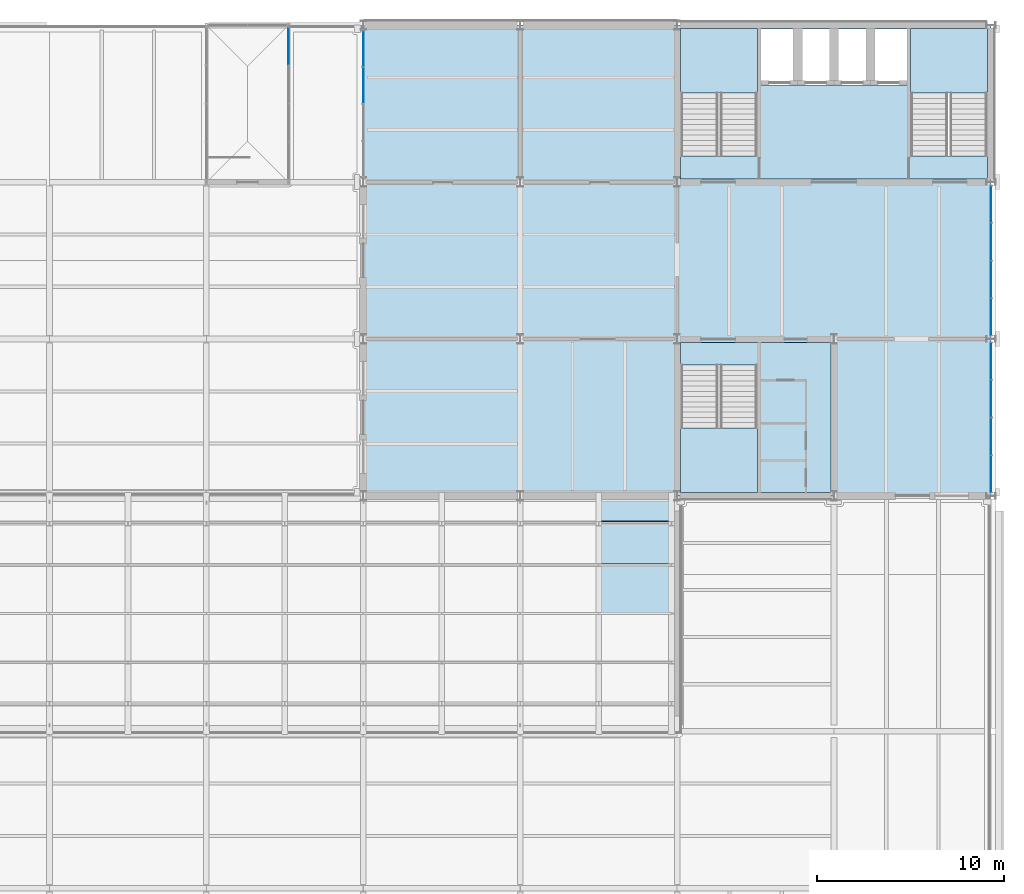
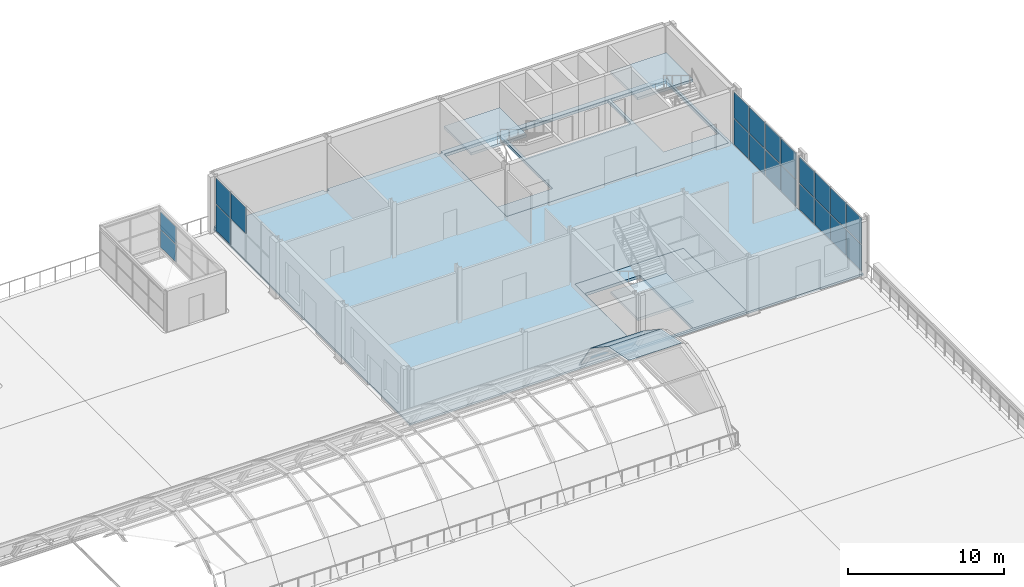
# One storey, part 38 of 58: 24 plates, 6 slabs, 7 elements without a shape of their own.
"""IFC4 building model written with IfcOpenShell, lengths in metres."""

import ifcopenshell
import ifcopenshell.guid

model = None  # the IFC model being written
_history = None  # IfcOwnerHistory: only IFC2X3 demands one
_inside = {}  # id of a spatial element -> (the spatial element, [elements in it])
_under = {}  # id of a project, library or spatial element -> (it, [spatial elements below it])
_declared = {}  # id of a project -> (the project, [libraries it declares])
_typed = {}  # id of a type object -> (the type object, [elements of that type])
_made_of = {}  # id of a material, layer set ... -> (it, [elements and type objects made of it])


def new_model(schema):
    """Start an empty IFC model of exactly this schema.

    Asked for "IFC4X3", IfcOpenShell would pick the latest addendum, in which some entities
    have other attributes; the version numbers below select the first issue.
    IFC2X3 requires an IfcOwnerHistory on every rooted entity: one is made here for all.
    """
    global model, _history
    if schema == "IFC4X3":
        model = ifcopenshell.file(schema_version=(4, 3, 0, 0))
    else:
        model = ifcopenshell.file(schema=schema)
    _inside.clear()
    _under.clear()
    _declared.clear()
    _typed.clear()
    _made_of.clear()
    _history = None
    if model.schema == "IFC2X3":
        org = make("IfcOrganization", Name="unknown")
        user = make(
            "IfcPersonAndOrganization",
            ThePerson=make("IfcPerson", FamilyName="unknown"),
            TheOrganization=org,
        )
        app = make(
            "IfcApplication",
            ApplicationDeveloper=org,
            Version="unknown",
            ApplicationFullName="unknown",
            ApplicationIdentifier="unknown",
        )
        _history = make(
            "IfcOwnerHistory",
            OwningUser=user,
            OwningApplication=app,
            ChangeAction="ADDED",
            CreationDate=0,
        )
    return model


def make(cls, **values):
    """One entity of the class cls with the attributes given. An attribute that is None is left unset."""
    return model.create_entity(
        cls, **{name: value for name, value in values.items() if value is not None}
    )


def rooted(cls, **values):
    """An entity with a GlobalId (a new one), such as an element, a storey or a relation."""
    return make(cls, GlobalId=ifcopenshell.guid.new(), OwnerHistory=_history, **values)


def si_unit(unit_type, name, prefix=None):
    """IfcSIUnit, for example si_unit("LENGTHUNIT", "METRE", prefix="MILLI")."""
    return make("IfcSIUnit", UnitType=unit_type, Prefix=prefix, Name=name)


def assignment(units):
    """IfcUnitAssignment: the units of a project."""
    return None if units is None else make("IfcUnitAssignment", Units=units)


def point(xyz):
    """IfcCartesianPoint."""
    return None if xyz is None else make("IfcCartesianPoint", Coordinates=xyz)


def direction(xyz):
    """IfcDirection."""
    return None if xyz is None else make("IfcDirection", DirectionRatios=xyz)


def frame(location, z_axis=None, x_axis=None):
    """IfcAxis2Placement3D, a coordinate frame: its origin and axes. An axis left out is left unset."""
    return make(
        "IfcAxis2Placement3D",
        Location=point(location),
        Axis=direction(z_axis),
        RefDirection=direction(x_axis),
    )


def frame_2d(location, x_axis=None):
    """IfcAxis2Placement2D, a coordinate frame in the plane: its origin and x axis."""
    return make(
        "IfcAxis2Placement2D", Location=point(location), RefDirection=direction(x_axis)
    )


def origin():
    """The frame at (0, 0, 0) with its axes left unset."""
    return frame((0.0, 0.0, 0.0))


def origin_2d():
    """The frame at (0, 0) in the plane with its x axis left unset."""
    return frame_2d((0.0, 0.0))


def place(relative_to, where):
    """IfcLocalPlacement: puts the frame where relative to a parent placement (None: the world)."""
    return make(
        "IfcLocalPlacement", PlacementRelTo=relative_to, RelativePlacement=where
    )


def context(
    kind, dimensions, precision=None, world=None, true_north=None, identifier=None
):
    """IfcGeometricRepresentationContext, for example the 3D "Model" context."""
    return make(
        "IfcGeometricRepresentationContext",
        ContextIdentifier=identifier,
        ContextType=kind,
        CoordinateSpaceDimension=dimensions,
        Precision=precision,
        WorldCoordinateSystem=world,
        TrueNorth=true_north,
    )


def subcontext(parent, identifier, kind, view, scale=None):
    """IfcGeometricRepresentationSubContext, for example "Body" below "Model"."""
    return make(
        "IfcGeometricRepresentationSubContext",
        ContextIdentifier=identifier,
        ContextType=kind,
        ParentContext=parent,
        TargetScale=scale,
        TargetView=view,
    )


def project(units=None, contexts=None):
    """IfcProject with its units and contexts."""
    return rooted(
        "IfcProject",
        Name="project",
        RepresentationContexts=contexts,
        UnitsInContext=assignment(units),
    )


def spatial(cls, under=None, at=None, **own):
    """A site, building, storey or space (cls), placed at a placement, below another one or the project."""
    s = rooted(cls, ObjectPlacement=at, **own)
    if under is not None:
        _under.setdefault(under.id(), (under, []))[1].append(s)
    return s


def polyline(points):
    """IfcPolyline through the points."""
    return make("IfcPolyline", Points=[point(p) for p in points])


def profile(cls, at=None, kind="AREA", **sizes):
    """A parametric profile (cls). Its sizes go by their IFC names, for example OverallWidth=200.0."""
    return make(cls, ProfileType=kind, Position=at, **sizes)


def rectangle(**sizes):
    """IfcRectangleProfileDef."""
    return profile("IfcRectangleProfileDef", **sizes)


def outline(outer, holes=None, kind="AREA"):
    """IfcArbitraryClosedProfileDef: a profile drawn as a closed curve; with holes, ...WithVoids."""
    if holes is None:
        return make("IfcArbitraryClosedProfileDef", ProfileType=kind, OuterCurve=outer)
    return make(
        "IfcArbitraryProfileDefWithVoids",
        ProfileType=kind,
        OuterCurve=outer,
        InnerCurves=holes,
    )


def extrude(swept, where, along, depth):
    """IfcExtrudedAreaSolid: the profile swept, set in the frame where, extruded along a direction by depth."""
    return make(
        "IfcExtrudedAreaSolid",
        SweptArea=swept,
        Position=where,
        ExtrudedDirection=direction(along),
        Depth=depth,
    )


def shape(context_of_items, identifier, shape_type, items):
    """IfcShapeRepresentation: the items that make up one representation, for example the "Body"."""
    return make(
        "IfcShapeRepresentation",
        ContextOfItems=context_of_items,
        RepresentationIdentifier=identifier,
        RepresentationType=shape_type,
        Items=items,
    )


def material(Name=None, Category=None):
    """IfcMaterial."""
    return make("IfcMaterial", Name=Name, Category=Category)


def layer(
    of_material, thickness, ventilated=None, Name=None, Category=None, Priority=None
):
    """IfcMaterialLayer: one layer of a wall or slab, of a material (None: an air gap)."""
    return make(
        "IfcMaterialLayer",
        Material=of_material,
        LayerThickness=thickness,
        IsVentilated=ventilated,
        Name=Name,
        Category=Category,
        Priority=Priority,
    )


def layer_set(layers, Name=None):
    """IfcMaterialLayerSet."""
    return make("IfcMaterialLayerSet", MaterialLayers=layers, LayerSetName=Name)


def made_of(thing, what):
    """Note that an element or type object is made of a material, layer set ...; save() writes the relation."""
    if what is not None:
        _made_of.setdefault(what.id(), (what, []))[1].append(thing)
    return thing


def type_object(cls, material=None, **own):
    """A type object (cls), such as IfcWallType, which elements share."""
    return made_of(rooted(cls, **own), material)


def element(
    cls,
    number,
    at=None,
    inside=None,
    cuts=None,
    type_object=None,
    material=None,
    context=None,
    identifier="Body",
    shape_type=None,
    held_by="IfcProductDefinitionShape",
    body=None,
    shapes=None,
    **own,
):
    """One element of the class cls, such as IfcWall. Its Tag is "e" and its number.

    at: its placement. inside: the storey or other place that contains it. cuts: it is an
    opening in that element (IfcRelVoidsElement). A single representation is given by context,
    identifier, shape_type and body (its items); several are given by shapes. held_by: the class
    of the entity that holds the representations. save() writes the other relations.
    """
    e = rooted(cls, Tag="e%d" % number, ObjectPlacement=at, **own)
    if body is not None:
        shapes = [shape(context, identifier, shape_type, body)]
    if shapes is not None:
        e.Representation = make(held_by, Representations=shapes)
    if inside is not None:
        _inside.setdefault(inside.id(), (inside, []))[1].append(e)
    if cuts is not None:
        rooted(
            "IfcRelVoidsElement", RelatingBuildingElement=cuts, RelatedOpeningElement=e
        )
    if type_object is not None:
        _typed.setdefault(type_object.id(), (type_object, []))[1].append(e)
    return made_of(e, material)


def aggregate(whole, parts):
    """IfcRelAggregates: a whole, such as a stair, and the parts it consists of."""
    return rooted("IfcRelAggregates", RelatingObject=whole, RelatedObjects=parts)


def save(model, path):
    """Write the relations noted so far, then the file.

    IfcRelAggregates (storeys below a building ...), IfcRelContainedInSpatialStructure (elements
    in a storey), IfcRelDefinesByType, IfcRelAssociatesMaterial and IfcRelDeclares: one each for
    every whole, place, type object, material and project.
    """
    for whole, parts in _under.values():
        aggregate(whole, parts)
    for where, things in _inside.values():
        rooted(
            "IfcRelContainedInSpatialStructure",
            RelatedElements=things,
            RelatingStructure=where,
        )
    for kind, things in _typed.values():
        rooted("IfcRelDefinesByType", RelatedObjects=things, RelatingType=kind)
    for what, things in _made_of.values():
        rooted("IfcRelAssociatesMaterial", RelatedObjects=things, RelatingMaterial=what)
    for by, libraries in _declared.values():
        rooted("IfcRelDeclares", RelatingContext=by, RelatedDefinitions=libraries)
    model.write(path)


model = new_model("IFC4")

# Units and contexts
model_context = context("Model", 3, precision=1e-05, world=origin(), true_north=direction((0.0, 1.0)))
body_context = subcontext(model_context, "Body", "Model", "MODEL_VIEW")
ifc_project = project(units=[si_unit("LENGTHUNIT", "METRE"), si_unit("AREAUNIT", "SQUARE_METRE"), si_unit("VOLUMEUNIT", "CUBIC_METRE"), si_unit("PLANEANGLEUNIT", "RADIAN"), si_unit("MASSUNIT", "GRAM", prefix="KILO")], contexts=[model_context])

# Site, building, storey
site_placement = place(None, origin())
site = spatial("IfcSite", under=ifc_project, at=site_placement, CompositionType="ELEMENT")
building_placement = place(site_placement, origin())
building = spatial("IfcBuilding", under=site, at=building_placement, Name="Galleria Vessillo Department Store", CompositionType="ELEMENT")
storey_placement = place(building_placement, frame((0.0, 0.0, 31.199951171875)))
storey = spatial("IfcBuildingStorey", under=building, at=storey_placement, Name="L06", CompositionType="ELEMENT", Elevation=31.199951171875)

# Slab
ifc_material_1 = material(Name="Concrete C32/40 composite on steel deck", Category="concrete")
ifc_layer_1 = layer(ifc_material_1, 0.14990234375)
ifc_layer_set_1 = layer_set([ifc_layer_1], Name="Concrete C32/40 composite on steel deck")
slab_type_1 = type_object("IfcSlabType", Name="Composite floor slab 150 mm", PredefinedType="FLOOR", material=ifc_layer_set_1)
slab_1_placement = place(storey_placement, frame((0.0, 0.0, -0.14990234375)))
element("IfcSlab", 1, at=slab_1_placement, inside=storey, type_object=slab_type_1, Name="S-SLAB-L06-FLOOR-T1", PredefinedType="FLOOR", context=body_context, shape_type="SweptSolid", body=[
    extrude(outline(polyline([(84.154052734375, 63.0), (84.154052734375, 63.22509765625), (92.245849609375, 63.22509765625), (92.245849609375, 63.0), (92.553955078125, 63.0), (92.553955078125, 63.22509765625), (100.64599609375, 63.22509765625), (100.64599609375, 63.0), (100.9541015625, 63.0), (100.9541015625, 63.199462890625), (117.360595703125, 63.199462890625), (117.360595703125, 63.0), (117.60009765625, 63.0), (117.60009765625, 37.800048828125), (84.0, 37.800048828125), (84.0, 63.0), (84.154052734375, 63.0)]), holes=[polyline([(109.02490234375, 37.97509765625), (109.02490234375, 46.02490234375), (100.97509765625, 46.02490234375), (100.97509765625, 37.97509765625), (109.02490234375, 37.97509765625)]), polyline([(117.425048828125, 54.775146484375), (117.425048828125, 62.824951171875), (100.97509765625, 62.824951171875), (100.97509765625, 54.775146484375), (117.425048828125, 54.775146484375)])]), origin(), (0.0, 0.0, 1.0), 0.14990234375),
])

# Curtain wall, plates
ifc_material_2 = material(Name="Aluminium and glass curtain wall", Category="aluminium")
ifc_layer_2 = layer(ifc_material_2, 0.159912109375)
ifc_layer_set_2 = layer_set([ifc_layer_2], Name="Aluminium and glass curtain wall")
curtain_wall_type_1 = type_object("IfcCurtainWallType", Name="Tower curtain wall CW4 2100 module", PredefinedType="NOTDEFINED", material=ifc_layer_set_2)
curtain_wall_1_placement = place(storey_placement, origin())
curtain_wall_1 = element("IfcCurtainWall", 2, at=curtain_wall_1_placement, inside=storey, type_object=curtain_wall_type_1, Name="Tower curtain wall CW4 2100 module TW-L06-03", PredefinedType="NOTDEFINED")
ifc_material_3 = material(Name="Glass laminated 44.2 low-e", Category="glass")
ifc_layer_3 = layer(ifc_material_3, 0.028076171875)
ifc_layer_set_3 = layer_set([ifc_layer_3], Name="Glass laminated 44.2 low-e")
plate_type_1 = type_object("IfcPlateType", Name="Laminated glass panel 28 mm", PredefinedType="CURTAIN_PANEL", material=ifc_layer_set_3)
plate_1_placement = place(storey_placement, frame((84.0, 59.78759765625, 2.155029296875), z_axis=(0.0, 0.0, 1.0), x_axis=(0.0, 1.0, 0.0)))
plate_1 = element("IfcPlate", 3, at=plate_1_placement, type_object=plate_type_1, Name="CW4 panel 3.2", PredefinedType="CURTAIN_PANEL", context=body_context, shape_type="SweptSolid", body=[
    extrude(rectangle(XDim=1.9150390625, YDim=0.028076171875, at=origin_2d()), origin(), (0.0, 0.0, 1.0), 2.03515625),
])
plate_2_placement = place(storey_placement, frame((84.0, 61.74755859375, 2.155029296875), z_axis=(0.0, 0.0, 1.0), x_axis=(0.0, 1.0, 0.0)))
plate_2 = element("IfcPlate", 4, at=plate_2_placement, type_object=plate_type_1, Name="CW4 panel 4.2", PredefinedType="CURTAIN_PANEL", context=body_context, shape_type="SweptSolid", body=[
    extrude(rectangle(XDim=1.885009765625, YDim=0.028076171875, at=origin_2d()), origin(), (0.0, 0.0, 1.0), 2.03515625),
])

curtain_wall_2_placement = place(storey_placement, origin())
curtain_wall_2 = element("IfcCurtainWall", 5, at=curtain_wall_2_placement, inside=storey, type_object=curtain_wall_type_1, Name="Tower curtain wall CW4 2100 module TE-L06-01", PredefinedType="NOTDEFINED")
plate_3_placement = place(storey_placement, frame((117.60009765625, 38.9775390625, 2.155029296875), z_axis=(0.0, 0.0, 1.0), x_axis=(0.0, 1.0, 0.0)))
plate_3 = element("IfcPlate", 6, at=plate_3_placement, type_object=plate_type_1, Name="CW4 panel 1.2", PredefinedType="CURTAIN_PANEL", context=body_context, shape_type="SweptSolid", body=[
    extrude(rectangle(XDim=1.93505859375, YDim=0.028076171875, at=origin_2d()), origin(), (0.0, 0.0, 1.0), 2.03515625),
])
plate_4_placement = place(storey_placement, frame((117.60009765625, 40.987548828125, 2.155029296875), z_axis=(0.0, 0.0, 1.0), x_axis=(0.0, 1.0, 0.0)))
plate_4 = element("IfcPlate", 7, at=plate_4_placement, type_object=plate_type_1, Name="CW4 panel 2.2", PredefinedType="CURTAIN_PANEL", context=body_context, shape_type="SweptSolid", body=[
    extrude(rectangle(XDim=1.965087890625, YDim=0.028076171875, at=origin_2d()), origin(), (0.0, 0.0, 1.0), 2.03515625),
])
plate_5_placement = place(storey_placement, frame((117.60009765625, 43.012451171875, 2.155029296875), z_axis=(0.0, 0.0, 1.0), x_axis=(0.0, 1.0, 0.0)))
plate_5 = element("IfcPlate", 8, at=plate_5_placement, type_object=plate_type_1, Name="CW4 panel 3.2", PredefinedType="CURTAIN_PANEL", context=body_context, shape_type="SweptSolid", body=[
    extrude(rectangle(XDim=1.965087890625, YDim=0.028076171875, at=origin_2d()), origin(), (0.0, 0.0, 1.0), 2.03515625),
])
plate_6_placement = place(storey_placement, frame((117.60009765625, 45.0224609375, 2.155029296875), z_axis=(0.0, 0.0, 1.0), x_axis=(0.0, 1.0, 0.0)))
plate_6 = element("IfcPlate", 9, at=plate_6_placement, type_object=plate_type_1, Name="CW4 panel 4.2", PredefinedType="CURTAIN_PANEL", context=body_context, shape_type="SweptSolid", body=[
    extrude(rectangle(XDim=1.93505859375, YDim=0.028076171875, at=origin_2d()), origin(), (0.0, 0.0, 1.0), 2.03515625),
])

curtain_wall_3_placement = place(storey_placement, origin())
curtain_wall_3 = element("IfcCurtainWall", 10, at=curtain_wall_3_placement, inside=storey, type_object=curtain_wall_type_1, Name="Tower curtain wall CW4 2100 module TE-L06-02", PredefinedType="NOTDEFINED")
plate_7_placement = place(storey_placement, frame((117.60009765625, 47.37744140625, 2.155029296875), z_axis=(0.0, 0.0, 1.0), x_axis=(0.0, 1.0, 0.0)))
plate_7 = element("IfcPlate", 11, at=plate_7_placement, type_object=plate_type_1, Name="CW4 panel 1.2", PredefinedType="CURTAIN_PANEL", context=body_context, shape_type="SweptSolid", body=[
    extrude(rectangle(XDim=1.93505859375, YDim=0.028076171875, at=origin_2d()), origin(), (0.0, 0.0, 1.0), 2.03515625),
])
plate_8_placement = place(storey_placement, frame((117.60009765625, 49.387451171875, 2.155029296875), z_axis=(0.0, 0.0, 1.0), x_axis=(0.0, 1.0, 0.0)))
plate_8 = element("IfcPlate", 12, at=plate_8_placement, type_object=plate_type_1, Name="CW4 panel 2.2", PredefinedType="CURTAIN_PANEL", context=body_context, shape_type="SweptSolid", body=[
    extrude(rectangle(XDim=1.965087890625, YDim=0.028076171875, at=origin_2d()), origin(), (0.0, 0.0, 1.0), 2.03515625),
])
plate_9_placement = place(storey_placement, frame((117.60009765625, 51.41259765625, 2.155029296875), z_axis=(0.0, 0.0, 1.0), x_axis=(0.0, 1.0, 0.0)))
plate_9 = element("IfcPlate", 13, at=plate_9_placement, type_object=plate_type_1, Name="CW4 panel 3.2", PredefinedType="CURTAIN_PANEL", context=body_context, shape_type="SweptSolid", body=[
    extrude(rectangle(XDim=1.965087890625, YDim=0.028076171875, at=origin_2d()), origin(), (0.0, 0.0, 1.0), 2.03515625),
])
plate_10_placement = place(storey_placement, frame((117.60009765625, 53.422607421875, 2.155029296875), z_axis=(0.0, 0.0, 1.0), x_axis=(0.0, 1.0, 0.0)))
plate_10 = element("IfcPlate", 14, at=plate_10_placement, type_object=plate_type_1, Name="CW4 panel 4.2", PredefinedType="CURTAIN_PANEL", context=body_context, shape_type="SweptSolid", body=[
    extrude(rectangle(XDim=1.93505859375, YDim=0.028076171875, at=origin_2d()), origin(), (0.0, 0.0, 1.0), 2.03515625),
])

ifc_material_4 = material(Name="Aluminium and glass curtain wall", Category="aluminium")
ifc_layer_4 = layer(ifc_material_4, 0.10009765625)
ifc_layer_set_4 = layer_set([ifc_layer_4], Name="Aluminium and glass curtain wall")
curtain_wall_type_2 = type_object("IfcCurtainWallType", Name="Pavilion curtain wall CW5 2100 module", PredefinedType="NOTDEFINED", material=ifc_layer_set_4)
curtain_wall_4_placement = place(storey_placement, origin())
curtain_wall_4 = element("IfcCurtainWall", 15, at=curtain_wall_4_placement, inside=storey, type_object=curtain_wall_type_2, Name="Pavilion curtain wall CW5 2100 module PV-ST6-B", PredefinedType="NOTDEFINED")
plate_11_placement = place(storey_placement, frame((80.0, 61.862548828125, 0.0498046875), z_axis=(0.0, 0.0, 1.0), x_axis=(0.0, 1.0, 0.0)))
plate_11 = element("IfcPlate", 16, at=plate_11_placement, type_object=plate_type_1, Name="CW5 panel 4.1", PredefinedType="CURTAIN_PANEL", context=body_context, shape_type="SweptSolid", body=[
    extrude(rectangle(XDim=1.97509765625, YDim=0.028076171875, at=origin_2d()), origin(), (0.0, 0.0, 1.0), 1.360107421875),
])
plate_12_placement = place(storey_placement, frame((80.0, 61.862548828125, 1.4599609375), z_axis=(0.0, 0.0, 1.0), x_axis=(0.0, 1.0, 0.0)))
plate_12 = element("IfcPlate", 17, at=plate_12_placement, type_object=plate_type_1, Name="CW5 panel 4.2", PredefinedType="CURTAIN_PANEL", context=body_context, shape_type="SweptSolid", body=[
    extrude(rectangle(XDim=1.97509765625, YDim=0.028076171875, at=origin_2d()), origin(), (0.0, 0.0, 1.0), 1.360107421875),
])
aggregate(curtain_wall_4, [plate_11, plate_12])

# Plates
ifc_material_5 = material(Name="Glass laminated 44.2 low-e", Category="glass")
ifc_layer_5 = layer(ifc_material_5, 0.030029296875)
ifc_layer_set_5 = layer_set([ifc_layer_5], Name="Glass laminated 44.2 low-e")
plate_type_2 = type_object("IfcPlateType", Name="Laminated vault glazing panel 30 mm", PredefinedType="SHEET", material=ifc_layer_set_5)
plate_13_placement = place(storey_placement, frame((96.60009765625, 31.5029296875, 4.377685546875), z_axis=(0.0, 0.194649660912, 0.980872830446), x_axis=(1.0, 0.0, 0.0)))
element("IfcPlate", 18, at=plate_13_placement, inside=storey, type_object=plate_type_2, Name="Vault glazing panel 20.4", PredefinedType="SHEET", context=body_context, shape_type="SweptSolid", body=[
    extrude(outline(polyline([(0.0, 0.0), (3.89990234375, 0.0), (3.89990234375, 2.7217368567149305), (0.0, 2.7217368567149305), (0.0, 0.0)])), origin(), (0.0, 0.0, -1.0), 0.030029296875),
])
plate_14_placement = place(storey_placement, frame((96.60009765625, 34.177978515625, 3.845703125), z_axis=(0.0, 0.554720893307, 0.832036495911), x_axis=(1.0, 0.0, 0.0)))
element("IfcPlate", 19, at=plate_14_placement, inside=storey, type_object=plate_type_2, Name="Vault glazing panel 20.5", PredefinedType="SHEET", context=body_context, shape_type="SweptSolid", body=[
    extrude(outline(polyline([(0.0, 0.0), (3.89990234375, 0.0), (3.89990234375, 2.722107250408877), (0.0, 2.722107250408877), (0.0, 0.0)])), origin(), (0.0, 0.0, -1.0), 0.030029296875),
])
plate_15_placement = place(storey_placement, frame((96.60009765625, 36.447021484375, 2.33154296875), z_axis=(0.0, 0.830525222922, 0.556981017711), x_axis=(1.0, 0.0, 0.0)))
element("IfcPlate", 20, at=plate_15_placement, inside=storey, type_object=plate_type_2, Name="Vault glazing panel 20.6", PredefinedType="SHEET", context=body_context, shape_type="SweptSolid", body=[
    extrude(outline(polyline([(0.0, 0.0), (3.89990234375, 0.0), (3.89990234375, 2.690021684729376), (0.0, 2.690021684729376), (0.0, 0.0)])), origin(), (0.0, 0.0, -1.0), 0.030029296875),
])

# Slabs
ifc_material_6 = material(Name="Concrete C32/40 reinforced", Category="concrete")
ifc_layer_6 = layer(ifc_material_6, 0.219970703125)
ifc_layer_set_6 = layer_set([ifc_layer_6], Name="Concrete C32/40 reinforced")
slab_type_2 = type_object("IfcSlabType", Name="Reinforced concrete core floor slab 220 mm", PredefinedType="FLOOR", material=ifc_layer_set_6)
slab_2_placement = place(storey_placement, frame((0.0, 0.0, -0.219970703125)))
element("IfcSlab", 21, at=slab_2_placement, inside=storey, type_object=slab_type_2, Name="S-SLAB-L06-CORE-TC", PredefinedType="FLOOR", context=body_context, shape_type="SweptSolid", body=[
    extrude(outline(polyline([(100.97509765625, 54.775146484375), (100.97509765625, 62.824951171875), (117.425048828125, 62.824951171875), (117.425048828125, 54.775146484375), (100.97509765625, 54.775146484375)]), holes=[polyline([(105.10009765625, 56.0), (105.10009765625, 62.800048828125), (101.0, 62.800048828125), (101.0, 56.0), (105.10009765625, 56.0)]), polyline([(113.300048828125, 56.0), (117.39990234375, 56.0), (117.39990234375, 62.800048828125), (113.300048828125, 62.800048828125), (113.300048828125, 56.0)]), polyline([(105.300048828125, 59.800048828125), (113.10009765625, 59.800048828125), (113.10009765625, 62.800048828125), (105.300048828125, 62.800048828125), (105.300048828125, 59.800048828125)])]), origin(), (0.0, 0.0, 1.0), 0.219970703125),
])
slab_3_placement = place(storey_placement, frame((0.0, 0.0, -0.219970703125)))
element("IfcSlab", 22, at=slab_3_placement, inside=storey, type_object=slab_type_2, Name="S-SLAB-L06-CORE-TS", PredefinedType="FLOOR", context=body_context, shape_type="SweptSolid", body=[
    extrude(outline(polyline([(100.97509765625, 37.97509765625), (100.97509765625, 46.02490234375), (109.02490234375, 46.02490234375), (109.02490234375, 37.97509765625), (100.97509765625, 37.97509765625)]), holes=[polyline([(105.10009765625, 44.800048828125), (101.0, 44.800048828125), (101.0, 38.0), (105.10009765625, 38.0), (105.10009765625, 44.800048828125)])]), origin(), (0.0, 0.0, 1.0), 0.219970703125),
])

# Stair, slab
ifc_material_7 = material(Name="Concrete C32/40", Category="concrete")
stair_type = type_object("IfcStairType", Name="Half-turn escape stair 2000 mm, 26 risers of 169 mm", PredefinedType="HALF_TURN_STAIR", material=ifc_material_7)
stair_1_placement = place(storey_placement, origin())
stair_1 = element("IfcStair", 23, at=stair_1_placement, inside=storey, type_object=stair_type, Name="Stair ST8 L06", PredefinedType="HALF_TURN_STAIR")
ifc_material_8 = material(Name="Concrete C32/40", Category="concrete")
ifc_layer_7 = layer(ifc_material_8, 0.199951171875)
ifc_layer_set_7 = layer_set([ifc_layer_7], Name="Concrete C32/40")
slab_type_3 = type_object("IfcSlabType", Name="Stair half landing 4125 x 3465 mm", PredefinedType="LANDING", material=ifc_layer_set_7)
slab_4_placement = place(storey_placement, frame((0.0, 0.0, 2.0)))
slab_4 = element("IfcSlab", 24, at=slab_4_placement, type_object=slab_type_3, Name="ST8 landing 1", PredefinedType="LANDING", context=body_context, shape_type="SweptSolid", body=[
    extrude(outline(polyline([(100.97509765625, 59.360107421875), (100.97509765625, 62.824951171875), (105.10009765625, 62.824951171875), (105.10009765625, 59.360107421875), (100.97509765625, 59.360107421875)])), origin(), (0.0, 0.0, 1.0), 0.199951171875),
])
aggregate(stair_1, [slab_4])

stair_2_placement = place(storey_placement, origin())
stair_2 = element("IfcStair", 25, at=stair_2_placement, inside=storey, type_object=stair_type, Name="Stair ST9 L06", PredefinedType="HALF_TURN_STAIR")
slab_5_placement = place(storey_placement, frame((0.0, 0.0, 2.0)))
slab_5 = element("IfcSlab", 26, at=slab_5_placement, type_object=slab_type_3, Name="ST9 landing 1", PredefinedType="LANDING", context=body_context, shape_type="SweptSolid", body=[
    extrude(outline(polyline([(113.300048828125, 59.360107421875), (113.300048828125, 62.824951171875), (117.425048828125, 62.824951171875), (117.425048828125, 59.360107421875), (113.300048828125, 59.360107421875)])), origin(), (0.0, 0.0, 1.0), 0.199951171875),
])
aggregate(stair_2, [slab_5])

stair_3_placement = place(storey_placement, origin())
stair_3 = element("IfcStair", 27, at=stair_3_placement, inside=storey, type_object=stair_type, Name="Stair ST12 L06", PredefinedType="HALF_TURN_STAIR")
slab_6_placement = place(storey_placement, frame((0.0, 0.0, 2.0)))
slab_6 = element("IfcSlab", 28, at=slab_6_placement, type_object=slab_type_3, Name="ST12 landing 1", PredefinedType="LANDING", context=body_context, shape_type="SweptSolid", body=[
    extrude(outline(polyline([(100.97509765625, 37.97509765625), (100.97509765625, 41.43994140625), (105.10009765625, 41.43994140625), (105.10009765625, 37.97509765625), (100.97509765625, 37.97509765625)])), origin(), (0.0, 0.0, 1.0), 0.199951171875),
])
aggregate(stair_3, [slab_6])

# Plate
ifc_material_9 = material(Name="Limestone spandrel on aluminium tray", Category="masonry")
ifc_layer_8 = layer(ifc_material_9, 0.028076171875)
ifc_layer_set_8 = layer_set([ifc_layer_8], Name="Limestone spandrel on aluminium tray")
plate_type_3 = type_object("IfcPlateType", Name="Stone spandrel panel 28 mm", PredefinedType="CURTAIN_PANEL", material=ifc_layer_set_8)
plate_16_placement = place(storey_placement, frame((84.0, 61.74755859375, 0.06005859375), z_axis=(0.0, 0.0, 1.0), x_axis=(0.0, 1.0, 0.0)))
plate_16 = element("IfcPlate", 29, at=plate_16_placement, type_object=plate_type_3, Name="CW4 panel 4.1", PredefinedType="CURTAIN_PANEL", context=body_context, shape_type="SweptSolid", body=[
    extrude(rectangle(XDim=1.885009765625, YDim=0.028076171875, at=origin_2d()), origin(), (0.0, 0.0, 1.0), 2.03515625),
])

aggregate(curtain_wall_1, [plate_1, plate_16, plate_2])

plate_17_placement = place(storey_placement, frame((117.60009765625, 38.9775390625, 0.06005859375), z_axis=(0.0, 0.0, 1.0), x_axis=(0.0, 1.0, 0.0)))
plate_17 = element("IfcPlate", 30, at=plate_17_placement, type_object=plate_type_3, Name="CW4 panel 1.1", PredefinedType="CURTAIN_PANEL", context=body_context, shape_type="SweptSolid", body=[
    extrude(rectangle(XDim=1.93505859375, YDim=0.028076171875, at=origin_2d()), origin(), (0.0, 0.0, 1.0), 2.03515625),
])

plate_18_placement = place(storey_placement, frame((117.60009765625, 40.987548828125, 0.06005859375), z_axis=(0.0, 0.0, 1.0), x_axis=(0.0, 1.0, 0.0)))
plate_18 = element("IfcPlate", 31, at=plate_18_placement, type_object=plate_type_3, Name="CW4 panel 2.1", PredefinedType="CURTAIN_PANEL", context=body_context, shape_type="SweptSolid", body=[
    extrude(rectangle(XDim=1.965087890625, YDim=0.028076171875, at=origin_2d()), origin(), (0.0, 0.0, 1.0), 2.03515625),
])

plate_19_placement = place(storey_placement, frame((117.60009765625, 43.012451171875, 0.06005859375), z_axis=(0.0, 0.0, 1.0), x_axis=(0.0, 1.0, 0.0)))
plate_19 = element("IfcPlate", 32, at=plate_19_placement, type_object=plate_type_3, Name="CW4 panel 3.1", PredefinedType="CURTAIN_PANEL", context=body_context, shape_type="SweptSolid", body=[
    extrude(rectangle(XDim=1.965087890625, YDim=0.028076171875, at=origin_2d()), origin(), (0.0, 0.0, 1.0), 2.03515625),
])

plate_20_placement = place(storey_placement, frame((117.60009765625, 45.0224609375, 0.06005859375), z_axis=(0.0, 0.0, 1.0), x_axis=(0.0, 1.0, 0.0)))
plate_20 = element("IfcPlate", 33, at=plate_20_placement, type_object=plate_type_3, Name="CW4 panel 4.1", PredefinedType="CURTAIN_PANEL", context=body_context, shape_type="SweptSolid", body=[
    extrude(rectangle(XDim=1.93505859375, YDim=0.028076171875, at=origin_2d()), origin(), (0.0, 0.0, 1.0), 2.03515625),
])

aggregate(curtain_wall_2, [plate_17, plate_3, plate_18, plate_4, plate_19, plate_5, plate_20, plate_6])

plate_21_placement = place(storey_placement, frame((117.60009765625, 47.37744140625, 0.06005859375), z_axis=(0.0, 0.0, 1.0), x_axis=(0.0, 1.0, 0.0)))
plate_21 = element("IfcPlate", 34, at=plate_21_placement, type_object=plate_type_3, Name="CW4 panel 1.1", PredefinedType="CURTAIN_PANEL", context=body_context, shape_type="SweptSolid", body=[
    extrude(rectangle(XDim=1.93505859375, YDim=0.028076171875, at=origin_2d()), origin(), (0.0, 0.0, 1.0), 2.03515625),
])

plate_22_placement = place(storey_placement, frame((117.60009765625, 49.387451171875, 0.06005859375), z_axis=(0.0, 0.0, 1.0), x_axis=(0.0, 1.0, 0.0)))
plate_22 = element("IfcPlate", 35, at=plate_22_placement, type_object=plate_type_3, Name="CW4 panel 2.1", PredefinedType="CURTAIN_PANEL", context=body_context, shape_type="SweptSolid", body=[
    extrude(rectangle(XDim=1.965087890625, YDim=0.028076171875, at=origin_2d()), origin(), (0.0, 0.0, 1.0), 2.03515625),
])

plate_23_placement = place(storey_placement, frame((117.60009765625, 51.41259765625, 0.06005859375), z_axis=(0.0, 0.0, 1.0), x_axis=(0.0, 1.0, 0.0)))
plate_23 = element("IfcPlate", 36, at=plate_23_placement, type_object=plate_type_3, Name="CW4 panel 3.1", PredefinedType="CURTAIN_PANEL", context=body_context, shape_type="SweptSolid", body=[
    extrude(rectangle(XDim=1.965087890625, YDim=0.028076171875, at=origin_2d()), origin(), (0.0, 0.0, 1.0), 2.03515625),
])

plate_24_placement = place(storey_placement, frame((117.60009765625, 53.422607421875, 0.06005859375), z_axis=(0.0, 0.0, 1.0), x_axis=(0.0, 1.0, 0.0)))
plate_24 = element("IfcPlate", 37, at=plate_24_placement, type_object=plate_type_3, Name="CW4 panel 4.1", PredefinedType="CURTAIN_PANEL", context=body_context, shape_type="SweptSolid", body=[
    extrude(rectangle(XDim=1.93505859375, YDim=0.028076171875, at=origin_2d()), origin(), (0.0, 0.0, 1.0), 2.03515625),
])

aggregate(curtain_wall_3, [plate_21, plate_7, plate_22, plate_8, plate_23, plate_9, plate_24, plate_10])

save(model, "model.ifc")
